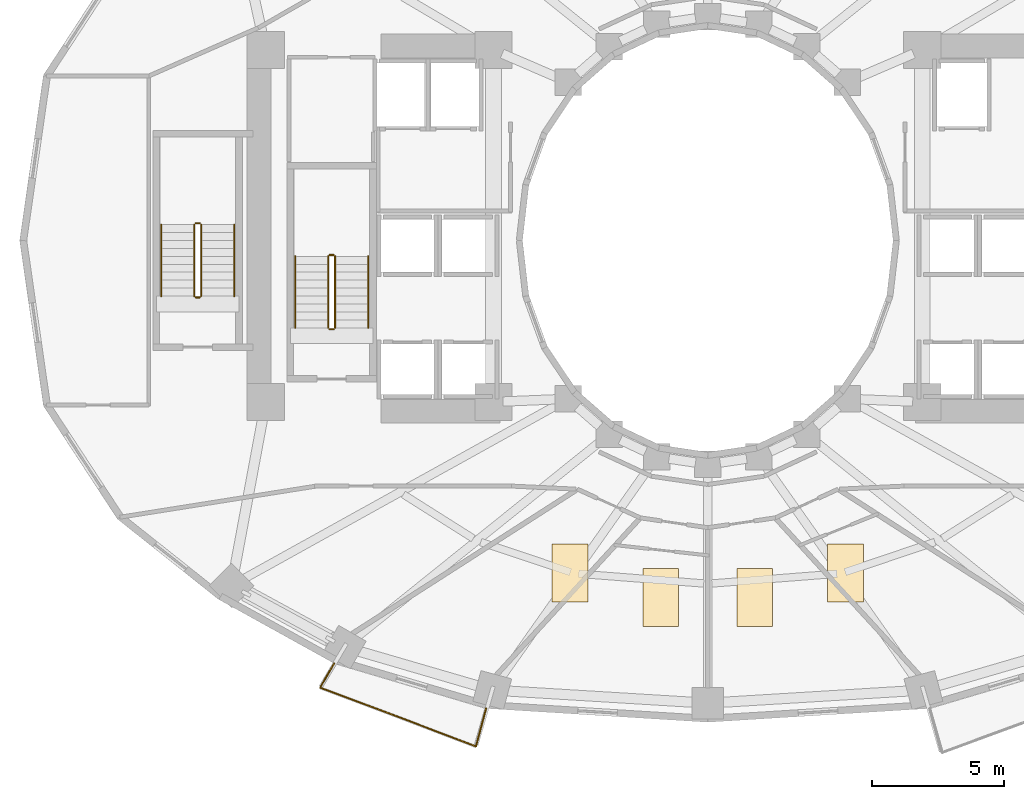
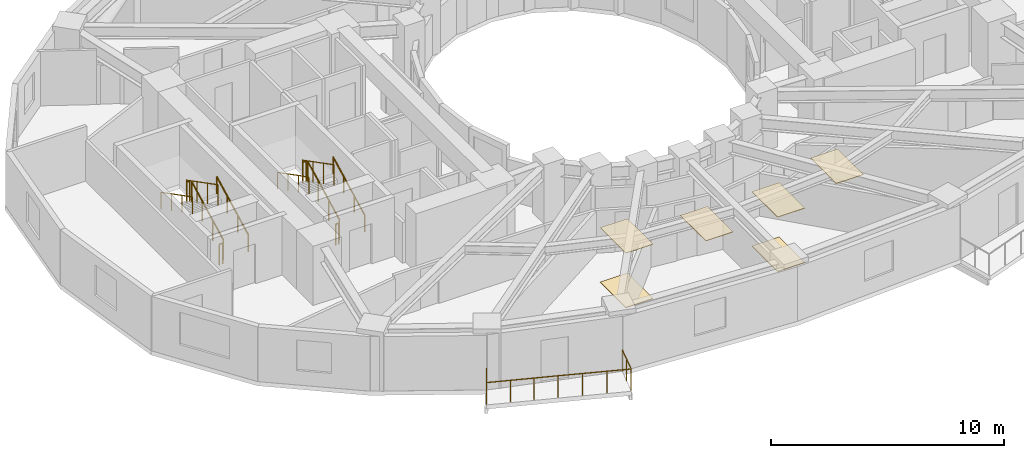
# One storey, part 9 of 11: 13 railings, 6 coverings.
"""IFC4 building model written with IfcOpenShell, lengths in metres."""

from ifc_helpers import new_model, si_unit, direction, frame, origin, origin_2d, place, context, subcontext, project, spatial, polyline, circle, outline, extrude, material, layer, layer_set, type_object, element, save


model = new_model("IFC4")

# Units and contexts
model_context = context("Model", 3, precision=1e-05, world=origin(), true_north=direction((0.0, 1.0)))
body_context = subcontext(model_context, "Body", "Model", "MODEL_VIEW")
ifc_project = project(units=[si_unit("LENGTHUNIT", "METRE"), si_unit("AREAUNIT", "SQUARE_METRE"), si_unit("VOLUMEUNIT", "CUBIC_METRE"), si_unit("PLANEANGLEUNIT", "RADIAN"), si_unit("MASSUNIT", "GRAM", prefix="KILO")], contexts=[model_context])

# Site, building, storey
site_placement = place(None, origin())
site = spatial("IfcSite", under=ifc_project, at=site_placement, CompositionType="ELEMENT")
building_placement = place(site_placement, origin())
building = spatial("IfcBuilding", under=site, at=building_placement, Name="Solvane Sanctuary Tower", CompositionType="ELEMENT")
storey_placement = place(building_placement, frame((0.0, 0.0, 49.300048828125)))
storey = spatial("IfcBuildingStorey", under=building, at=storey_placement, Name="L14", CompositionType="ELEMENT", Elevation=49.300048828125)

# Coverings
ifc_material_1 = material(Name="Acoustic Gypsum Partition Board")
ifc_layer_1 = layer(ifc_material_1, 0.02490234375, Name="Acoustic Gypsum Partition Board")
ifc_layer_set_1 = layer_set([ifc_layer_1], Name="Acoustic Gypsum Partition Board")
covering_type_1 = type_object("IfcCoveringType", Name="Covering CLG-ACOUST", PredefinedType="CEILING", material=ifc_layer_set_1)
covering_1_placement = place(storey_placement, frame((0.0, 0.0, 2.849853515625)))
element("IfcCovering", 1, at=covering_1_placement, inside=storey, type_object=covering_type_1, Name="L14 Unit Acoustic Ceiling Panel 4", PredefinedType="CEILING", context=body_context, shape_type="SweptSolid", body=[
    extrude(outline(polyline([(26.12109375, 9.3349609375), (27.470947265625, 9.3349609375), (27.470947265625, 11.534912109375), (26.12109375, 11.534912109375), (26.12109375, 9.3349609375)])), origin(), (0.0, 0.0, 1.0), 0.030029296875),
])
covering_2_placement = place(storey_placement, frame((0.0, 0.0, 2.849853515625)))
element("IfcCovering", 2, at=covering_2_placement, inside=storey, type_object=covering_type_1, Name="L14 Unit Acoustic Ceiling Panel 5", PredefinedType="CEILING", context=body_context, shape_type="SweptSolid", body=[
    extrude(outline(polyline([(29.550048828125, 8.416015625), (30.89990234375, 8.416015625), (30.89990234375, 10.615966796875), (29.550048828125, 10.615966796875), (29.550048828125, 8.416015625)])), origin(), (0.0, 0.0, 1.0), 0.030029296875),
])
covering_3_placement = place(storey_placement, frame((0.0, 0.0, 2.849853515625)))
element("IfcCovering", 3, at=covering_3_placement, inside=storey, type_object=covering_type_1, Name="L14 Unit Acoustic Ceiling Panel 6", PredefinedType="CEILING", context=body_context, shape_type="SweptSolid", body=[
    extrude(outline(polyline([(33.10009765625, 8.416015625), (34.449951171875, 8.416015625), (34.449951171875, 10.615966796875), (33.10009765625, 10.615966796875), (33.10009765625, 8.416015625)])), origin(), (0.0, 0.0, 1.0), 0.030029296875),
])
covering_4_placement = place(storey_placement, frame((0.0, 0.0, 2.849853515625)))
element("IfcCovering", 4, at=covering_4_placement, inside=storey, type_object=covering_type_1, Name="L14 Unit Acoustic Ceiling Panel 7", PredefinedType="CEILING", context=body_context, shape_type="SweptSolid", body=[
    extrude(outline(polyline([(36.529052734375, 9.3349609375), (37.87890625, 9.3349609375), (37.87890625, 11.534912109375), (36.529052734375, 11.534912109375), (36.529052734375, 9.3349609375)])), origin(), (0.0, 0.0, 1.0), 0.030029296875),
])
ifc_material_2 = material(Name="Ceramic Tile Finish")
ifc_layer_2 = layer(ifc_material_2, 0.030029296875, Name="Ceramic Tile Finish")
ifc_layer_set_2 = layer_set([ifc_layer_2], Name="Ceramic Tile Finish")
covering_type_2 = type_object("IfcCoveringType", Name="Covering FLR-TERRAZZO", PredefinedType="FLOORING", material=ifc_layer_set_2)
covering_5_placement = place(storey_placement, origin())
element("IfcCovering", 5, at=covering_5_placement, inside=storey, type_object=covering_type_2, Name="L14 Unit Terrazzo Inlay 4", PredefinedType="FLOORING", context=body_context, shape_type="SweptSolid", body=[
    extrude(outline(polyline([(26.12109375, 9.3349609375), (27.470947265625, 9.3349609375), (27.470947265625, 11.534912109375), (26.12109375, 11.534912109375), (26.12109375, 9.3349609375)])), origin(), (0.0, 0.0, 1.0), 0.034912109375),
])
covering_6_placement = place(storey_placement, origin())
element("IfcCovering", 6, at=covering_6_placement, inside=storey, type_object=covering_type_2, Name="L14 Unit Terrazzo Inlay 6", PredefinedType="FLOORING", context=body_context, shape_type="SweptSolid", body=[
    extrude(outline(polyline([(33.10009765625, 8.416015625), (34.449951171875, 8.416015625), (34.449951171875, 10.615966796875), (33.10009765625, 10.615966796875), (33.10009765625, 8.416015625)])), origin(), (0.0, 0.0, 1.0), 0.034912109375),
])

# Railings
ifc_material_3 = material(Name="Architectural Stainless Steel 316", Category="steel")
railing_type_1 = type_object("IfcRailingType", Name="Railing GR-BALC-1150", PredefinedType="BALUSTRADE", material=ifc_material_3)
railing_1_placement = place(storey_placement, frame((17.8818359375, 7.022705078125, 0.0)))
element("IfcRailing", 7, at=railing_1_placement, inside=storey, type_object=railing_type_1, Name="L14 Wave Balcony Balustrade S1", PredefinedType="BALUSTRADE", context=body_context, shape_type="SweptSolid", body=[
    extrude(circle(Radius=0.02392578125, at=origin_2d()), frame((0.0, 0.0, 1.1259765625), z_axis=(-0.499969342782, -0.866043103014, 0.0), x_axis=(0.866043103014, -0.499969342782, 0.0)), (0.0, 0.0, 1.0), 1.0556640625),
    extrude(circle(Radius=0.02392578125, at=origin_2d()), frame((-0.52783203125, -0.914306640625, 1.1259765625), z_axis=(0.936499630954, -0.350668563209, 0.0), x_axis=(0.350668563209, 0.936499630954, 0.0)), (0.0, 0.0, 1.0), 3.11767578125),
    extrude(circle(Radius=0.02392578125, at=origin_2d()), frame((2.391845703125, -2.007568359375, 1.1259765625), z_axis=(0.934601042061, -0.355697753968, 0.0), x_axis=(0.355697753968, 0.934601042061, 0.0)), (0.0, 0.0, 1.0), 3.173095703125),
    extrude(circle(Radius=0.02392578125, at=origin_2d()), frame((5.357421875, -3.13623046875, 1.1259765625), z_axis=(0.2588814164, 0.965909111792, 0.0), x_axis=(-0.965909111792, 0.2588814164, 0.0)), (0.0, 0.0, 1.0), 1.4833984375),
    extrude(circle(Radius=0.02099609375, at=origin_2d()), origin(), (0.0, 0.0, 1.0), 1.101806640625),
    extrude(circle(Radius=0.02099609375, at=origin_2d()), frame((-0.52783203125, -0.914306640625, 0.0)), (0.0, 0.0, 1.0), 1.101806640625),
    extrude(circle(Radius=0.02099609375, at=origin_2d()), frame((0.4453125, -1.27880859375, 0.0)), (0.0, 0.0, 1.0), 1.101806640625),
    extrude(circle(Radius=0.02099609375, at=origin_2d()), frame((1.418701171875, -1.64306640625, 0.0)), (0.0, 0.0, 1.0), 1.101806640625),
    extrude(circle(Radius=0.02099609375, at=origin_2d()), frame((2.391845703125, -2.007568359375, 0.0)), (0.0, 0.0, 1.0), 1.101806640625),
    extrude(circle(Radius=0.02099609375, at=origin_2d()), frame((3.38037109375, -2.3837890625, 0.0)), (0.0, 0.0, 1.0), 1.101806640625),
    extrude(circle(Radius=0.02099609375, at=origin_2d()), frame((4.368896484375, -2.760009765625, 0.0)), (0.0, 0.0, 1.0), 1.101806640625),
    extrude(circle(Radius=0.02099609375, at=origin_2d()), frame((5.357421875, -3.13623046875, 0.0)), (0.0, 0.0, 1.0), 1.101806640625),
    extrude(circle(Radius=0.02099609375, at=origin_2d()), frame((5.54931640625, -2.419921875, 0.0)), (0.0, 0.0, 1.0), 1.101806640625),
    extrude(circle(Radius=0.02099609375, at=origin_2d()), frame((5.741455078125, -1.703369140625, 0.0)), (0.0, 0.0, 1.0), 1.101806640625),
])
railing_2_placement = place(storey_placement, frame((17.919921875, 19.699951171875, 0.155029296875)))
element("IfcRailing", 8, at=railing_2_placement, inside=storey, type_object=railing_type_1, Name="L14 ST-1 stair guard 1", PredefinedType="BALUSTRADE", context=body_context, shape_type="SweptSolid", body=[
    extrude(circle(Radius=0.02392578125, at=origin_2d()), frame((0.0, 0.0, 1.076171875), z_axis=(0.0, 0.888419900624, 0.459031676658), x_axis=(-1.0, 0.0, 0.0)), (0.0, 0.0, 1.0), 3.0390625),
    extrude(circle(Radius=0.02099609375, at=origin_2d()), origin(), (0.0, 0.0, 1.0), 1.052001953125),
    extrude(circle(Radius=0.02099609375, at=origin_2d()), frame((0.0, 0.89990234375, 0.465087890625)), (0.0, 0.0, 1.0), 1.052001953125),
    extrude(circle(Radius=0.02099609375, at=origin_2d()), frame((0.0, 1.800048828125, 0.929931640625)), (0.0, 0.0, 1.0), 1.052001953125),
    extrude(circle(Radius=0.02099609375, at=origin_2d()), frame((0.0, 2.699951171875, 1.39501953125)), (0.0, 0.0, 1.0), 1.052001953125),
])
railing_3_placement = place(storey_placement, frame((17.8701171875, 22.449951171875, 1.550048828125)))
element("IfcRailing", 9, at=railing_3_placement, inside=storey, type_object=railing_type_1, Name="L14 ST-1 stair guard 2", PredefinedType="BALUSTRADE", context=body_context, shape_type="SweptSolid", body=[
    extrude(circle(Radius=0.02392578125, at=origin_2d()), frame((0.0, 0.0, 1.076171875), z_axis=(-1.0, 0.0, 0.0), x_axis=(0.0, -1.0, 0.0)), (0.0, 0.0, 1.0), 0.16015625),
    extrude(circle(Radius=0.02099609375, at=origin_2d()), origin(), (0.0, 0.0, 1.0), 1.052001953125),
    extrude(circle(Radius=0.02099609375, at=origin_2d()), frame((-0.16015625, 0.0, 0.0)), (0.0, 0.0, 1.0), 1.052001953125),
])
railing_4_placement = place(storey_placement, frame((17.659912109375, 22.39990234375, 1.704833984375)))
element("IfcRailing", 10, at=railing_4_placement, inside=storey, type_object=railing_type_1, Name="L14 ST-1 stair guard 3", PredefinedType="BALUSTRADE", context=body_context, shape_type="SweptSolid", body=[
    extrude(circle(Radius=0.02392578125, at=origin_2d()), frame((0.0, 0.0, 1.076171875), z_axis=(0.0, -0.888419900624, 0.459031676658), x_axis=(1.0, 0.0, 0.0)), (0.0, 0.0, 1.0), 3.0390625),
    extrude(circle(Radius=0.02099609375, at=origin_2d()), origin(), (0.0, 0.0, 1.0), 1.052001953125),
    extrude(circle(Radius=0.02099609375, at=origin_2d()), frame((0.0, -0.89990234375, 0.465087890625)), (0.0, 0.0, 1.0), 1.052001953125),
    extrude(circle(Radius=0.02099609375, at=origin_2d()), frame((0.0, -1.800048828125, 0.929931640625)), (0.0, 0.0, 1.0), 1.052001953125),
    extrude(circle(Radius=0.02099609375, at=origin_2d()), frame((0.0, -2.699951171875, 1.39501953125)), (0.0, 0.0, 1.0), 1.052001953125),
])
railing_5_placement = place(storey_placement, frame((17.8701171875, 19.64990234375, 0.0)))
element("IfcRailing", 11, at=railing_5_placement, inside=storey, type_object=railing_type_1, Name="L14 ST-1 stair guard 4", PredefinedType="BALUSTRADE", context=body_context, shape_type="SweptSolid", body=[
    extrude(circle(Radius=0.02392578125, at=origin_2d()), frame((0.0, 0.0, 1.076171875), z_axis=(-1.0, 0.0, 0.0), x_axis=(0.0, -1.0, 0.0)), (0.0, 0.0, 1.0), 0.16015625),
    extrude(circle(Radius=0.02099609375, at=origin_2d()), origin(), (0.0, 0.0, 1.0), 1.052001953125),
    extrude(circle(Radius=0.02099609375, at=origin_2d()), frame((-0.16015625, 0.0, 0.0)), (0.0, 0.0, 1.0), 1.052001953125),
])
railing_6_placement = place(storey_placement, frame((12.860107421875, 20.89990234375, 0.155029296875)))
element("IfcRailing", 12, at=railing_6_placement, inside=storey, type_object=railing_type_1, Name="L14 ST-3 stair guard 1", PredefinedType="BALUSTRADE", context=body_context, shape_type="SweptSolid", body=[
    extrude(circle(Radius=0.02392578125, at=origin_2d()), frame((0.0, 0.0, 1.076171875), z_axis=(0.0, 0.888436826113, 0.458998917216), x_axis=(-1.0, 0.0, 0.0)), (0.0, 0.0, 1.0), 3.039306640625),
    extrude(circle(Radius=0.02099609375, at=origin_2d()), origin(), (0.0, 0.0, 1.0), 1.052001953125),
    extrude(circle(Radius=0.02099609375, at=origin_2d()), frame((0.0, 0.900146484375, 0.465087890625)), (0.0, 0.0, 1.0), 1.052001953125),
    extrude(circle(Radius=0.02099609375, at=origin_2d()), frame((0.0, 1.800048828125, 0.929931640625)), (0.0, 0.0, 1.0), 1.052001953125),
    extrude(circle(Radius=0.02099609375, at=origin_2d()), frame((0.0, 2.7001953125, 1.39501953125)), (0.0, 0.0, 1.0), 1.052001953125),
])
railing_7_placement = place(storey_placement, frame((12.81005859375, 23.64990234375, 1.550048828125)))
element("IfcRailing", 13, at=railing_7_placement, inside=storey, type_object=railing_type_1, Name="L14 ST-3 stair guard 2", PredefinedType="BALUSTRADE", context=body_context, shape_type="SweptSolid", body=[
    extrude(circle(Radius=0.02392578125, at=origin_2d()), frame((0.0, 0.0, 1.076171875), z_axis=(-1.0, 0.0, 0.0), x_axis=(0.0, -1.0, 0.0)), (0.0, 0.0, 1.0), 0.16015625),
    extrude(circle(Radius=0.02099609375, at=origin_2d()), origin(), (0.0, 0.0, 1.0), 1.052001953125),
    extrude(circle(Radius=0.02099609375, at=origin_2d()), frame((-0.16015625, 0.0, 0.0)), (0.0, 0.0, 1.0), 1.052001953125),
])
railing_8_placement = place(storey_placement, frame((12.60009765625, 23.60009765625, 1.704833984375)))
element("IfcRailing", 14, at=railing_8_placement, inside=storey, type_object=railing_type_1, Name="L14 ST-3 stair guard 3", PredefinedType="BALUSTRADE", context=body_context, shape_type="SweptSolid", body=[
    extrude(circle(Radius=0.02392578125, at=origin_2d()), frame((0.0, 0.0, 1.076171875), z_axis=(0.0, -0.888436826113, 0.458998917216), x_axis=(1.0, 0.0, 0.0)), (0.0, 0.0, 1.0), 3.039306640625),
    extrude(circle(Radius=0.02099609375, at=origin_2d()), origin(), (0.0, 0.0, 1.0), 1.052001953125),
    extrude(circle(Radius=0.02099609375, at=origin_2d()), frame((0.0, -0.900146484375, 0.465087890625)), (0.0, 0.0, 1.0), 1.052001953125),
    extrude(circle(Radius=0.02099609375, at=origin_2d()), frame((0.0, -1.800048828125, 0.929931640625)), (0.0, 0.0, 1.0), 1.052001953125),
    extrude(circle(Radius=0.02099609375, at=origin_2d()), frame((0.0, -2.7001953125, 1.39501953125)), (0.0, 0.0, 1.0), 1.052001953125),
])
railing_9_placement = place(storey_placement, frame((12.81005859375, 20.85009765625, 0.0)))
element("IfcRailing", 15, at=railing_9_placement, inside=storey, type_object=railing_type_1, Name="L14 ST-3 stair guard 4", PredefinedType="BALUSTRADE", context=body_context, shape_type="SweptSolid", body=[
    extrude(circle(Radius=0.02392578125, at=origin_2d()), frame((0.0, 0.0, 1.076171875), z_axis=(-1.0, 0.0, 0.0), x_axis=(0.0, -1.0, 0.0)), (0.0, 0.0, 1.0), 0.16015625),
    extrude(circle(Radius=0.02099609375, at=origin_2d()), origin(), (0.0, 0.0, 1.0), 1.052001953125),
    extrude(circle(Radius=0.02099609375, at=origin_2d()), frame((-0.16015625, 0.0, 0.0)), (0.0, 0.0, 1.0), 1.052001953125),
])
railing_type_2 = type_object("IfcRailingType", Name="Railing HR-STAIR-920", PredefinedType="HANDRAIL", material=ifc_material_3)
railing_10_placement = place(storey_placement, frame((19.169921875, 19.699951171875, 0.155029296875)))
element("IfcRailing", 16, at=railing_10_placement, inside=storey, type_object=railing_type_2, Name="L14 ST-1 stair handrail 1", PredefinedType="HANDRAIL", context=body_context, shape_type="SweptSolid", body=[
    extrude(circle(Radius=0.02392578125, at=origin_2d()), frame((0.0, 0.0, 0.8759765625), z_axis=(0.0, 0.888419900624, 0.459031676658), x_axis=(-1.0, 0.0, 0.0)), (0.0, 0.0, 1.0), 3.0390625),
    extrude(circle(Radius=0.02099609375, at=origin_2d()), origin(), (0.0, 0.0, 1.0), 0.851806640625),
    extrude(circle(Radius=0.02099609375, at=origin_2d()), frame((0.0, 0.89990234375, 0.465087890625)), (0.0, 0.0, 1.0), 0.851806640625),
    extrude(circle(Radius=0.02099609375, at=origin_2d()), frame((0.0, 1.800048828125, 0.929931640625)), (0.0, 0.0, 1.0), 0.851806640625),
    extrude(circle(Radius=0.02099609375, at=origin_2d()), frame((0.0, 2.699951171875, 1.39501953125)), (0.0, 0.0, 1.0), 0.851806640625),
])
railing_11_placement = place(storey_placement, frame((16.409912109375, 22.39990234375, 1.704833984375)))
element("IfcRailing", 17, at=railing_11_placement, inside=storey, type_object=railing_type_2, Name="L14 ST-1 stair handrail 2", PredefinedType="HANDRAIL", context=body_context, shape_type="SweptSolid", body=[
    extrude(circle(Radius=0.02392578125, at=origin_2d()), frame((0.0, 0.0, 0.8759765625), z_axis=(0.0, -0.888419900624, 0.459031676658), x_axis=(1.0, 0.0, 0.0)), (0.0, 0.0, 1.0), 3.0390625),
    extrude(circle(Radius=0.02099609375, at=origin_2d()), origin(), (0.0, 0.0, 1.0), 0.851806640625),
    extrude(circle(Radius=0.02099609375, at=origin_2d()), frame((0.0, -0.89990234375, 0.465087890625)), (0.0, 0.0, 1.0), 0.851806640625),
    extrude(circle(Radius=0.02099609375, at=origin_2d()), frame((0.0, -1.800048828125, 0.929931640625)), (0.0, 0.0, 1.0), 0.851806640625),
    extrude(circle(Radius=0.02099609375, at=origin_2d()), frame((0.0, -2.699951171875, 1.39501953125)), (0.0, 0.0, 1.0), 0.851806640625),
])
railing_12_placement = place(storey_placement, frame((14.110107421875, 20.89990234375, 0.155029296875)))
element("IfcRailing", 18, at=railing_12_placement, inside=storey, type_object=railing_type_2, Name="L14 ST-3 stair handrail 1", PredefinedType="HANDRAIL", context=body_context, shape_type="SweptSolid", body=[
    extrude(circle(Radius=0.02392578125, at=origin_2d()), frame((0.0, 0.0, 0.8759765625), z_axis=(0.0, 0.888436826113, 0.458998917216), x_axis=(-1.0, 0.0, 0.0)), (0.0, 0.0, 1.0), 3.039306640625),
    extrude(circle(Radius=0.02099609375, at=origin_2d()), origin(), (0.0, 0.0, 1.0), 0.851806640625),
    extrude(circle(Radius=0.02099609375, at=origin_2d()), frame((0.0, 0.900146484375, 0.465087890625)), (0.0, 0.0, 1.0), 0.851806640625),
    extrude(circle(Radius=0.02099609375, at=origin_2d()), frame((0.0, 1.800048828125, 0.929931640625)), (0.0, 0.0, 1.0), 0.851806640625),
    extrude(circle(Radius=0.02099609375, at=origin_2d()), frame((0.0, 2.7001953125, 1.39501953125)), (0.0, 0.0, 1.0), 0.851806640625),
])
railing_13_placement = place(storey_placement, frame((11.35009765625, 23.60009765625, 1.704833984375)))
element("IfcRailing", 19, at=railing_13_placement, inside=storey, type_object=railing_type_2, Name="L14 ST-3 stair handrail 2", PredefinedType="HANDRAIL", context=body_context, shape_type="SweptSolid", body=[
    extrude(circle(Radius=0.02392578125, at=origin_2d()), frame((0.0, 0.0, 0.8759765625), z_axis=(0.0, -0.888436826113, 0.458998917216), x_axis=(1.0, 0.0, 0.0)), (0.0, 0.0, 1.0), 3.039306640625),
    extrude(circle(Radius=0.02099609375, at=origin_2d()), origin(), (0.0, 0.0, 1.0), 0.851806640625),
    extrude(circle(Radius=0.02099609375, at=origin_2d()), frame((0.0, -0.900146484375, 0.465087890625)), (0.0, 0.0, 1.0), 0.851806640625),
    extrude(circle(Radius=0.02099609375, at=origin_2d()), frame((0.0, -1.800048828125, 0.929931640625)), (0.0, 0.0, 1.0), 0.851806640625),
    extrude(circle(Radius=0.02099609375, at=origin_2d()), frame((0.0, -2.7001953125, 1.39501953125)), (0.0, 0.0, 1.0), 0.851806640625),
])

save(model, "model.ifc")
